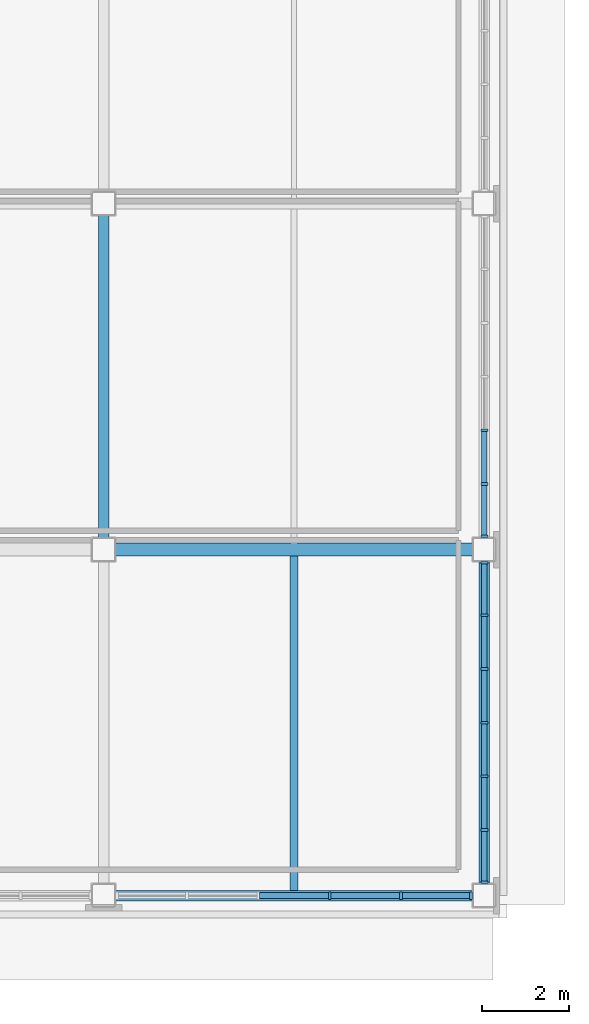
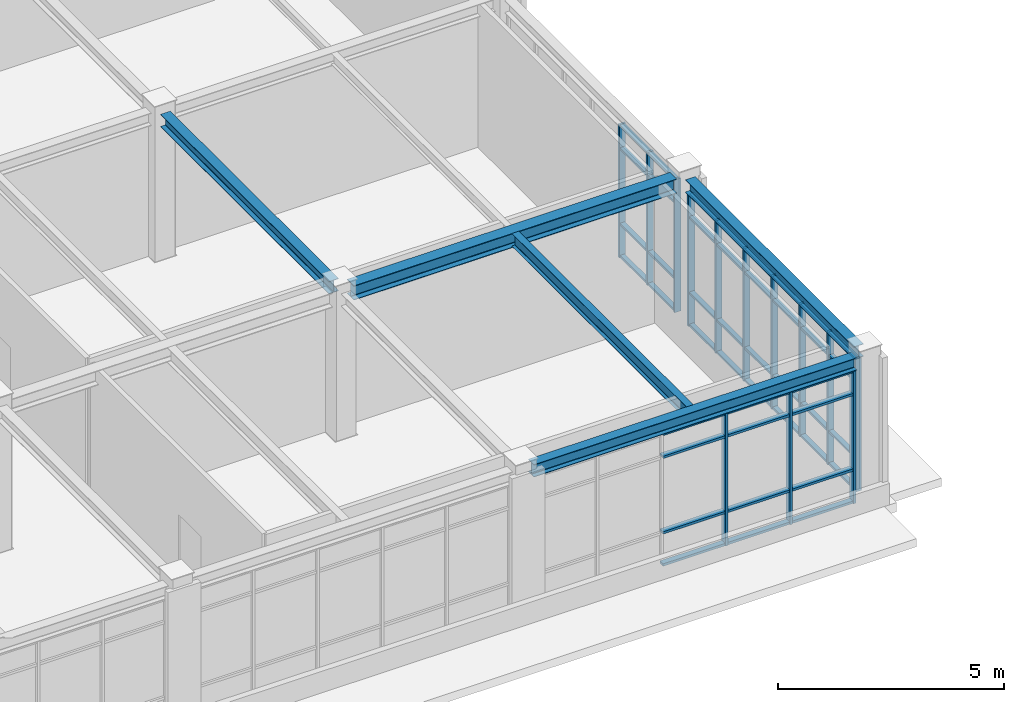
# One storey, part 11 of 64: 57 members, 5 beams, 3 elements without a shape of their own.
"""IFC4 building model written with IfcOpenShell, lengths in metres."""

from ifc_helpers import new_model, si_unit, direction, frame, origin, origin_2d, place, context, subcontext, project, spatial, rectangle, i_section, extrude, material, material_profile, profile_set, type_object, element, aggregate, save


model = new_model("IFC4")

# Units and contexts
model_context = context("Model", 3, precision=1e-05, world=origin(), true_north=direction((0.0, 1.0)))
body_context = subcontext(model_context, "Body", "Model", "MODEL_VIEW")
ifc_project = project(units=[si_unit("LENGTHUNIT", "METRE"), si_unit("AREAUNIT", "SQUARE_METRE"), si_unit("VOLUMEUNIT", "CUBIC_METRE"), si_unit("PLANEANGLEUNIT", "RADIAN"), si_unit("MASSUNIT", "GRAM", prefix="KILO")], contexts=[model_context])

# Site, building, storey
site_placement = place(None, origin())
site = spatial("IfcSite", under=ifc_project, at=site_placement, CompositionType="ELEMENT")
building_placement = place(site_placement, origin())
building = spatial("IfcBuilding", under=site, at=building_placement, Name="Zhaolan Boulevard Law Courts", CompositionType="ELEMENT")
storey_placement = place(building_placement, frame((0.0, 0.0, 20.39990234375)))
storey = spatial("IfcBuildingStorey", under=building, at=storey_placement, Name="L04", CompositionType="ELEMENT", Elevation=20.39990234375)

# Curtain wall, members
ifc_material_1 = material(Name="Thermally broken aluminium and low-E glazing", Category="aluminium")
curtain_wall_type_1 = type_object("IfcCurtainWallType", Name="CURTAIN WALL M4", PredefinedType="USERDEFINED", material=ifc_material_1)
curtain_wall_1_placement = place(storey_placement, origin())
curtain_wall_1 = element("IfcCurtainWall", 1, at=curtain_wall_1_placement, inside=storey, type_object=curtain_wall_type_1, Name="Curtain Wall CW-L04-196", ObjectType="CURTAIN WALL", PredefinedType="USERDEFINED")
ifc_material_2 = material(Name="Fluorocarbon-coated aluminium 6063-T6", Category="aluminium")
ifc_material_profile_1 = material_profile(ifc_material_2, rectangle(XDim=0.159912109375, YDim=0.06005859375, at=origin_2d()), Name="AL60x160")
ifc_profile_set_1 = profile_set([ifc_material_profile_1], Name="Fluorocarbon-coated aluminium 6063-T6")
member_type_1 = type_object("IfcMemberType", Name="CWMULLION 60X160", PredefinedType="MULLION", material=ifc_profile_set_1)
member_1_placement = place(storey_placement, frame((44.0, 30.306884765625, 0.0), z_axis=(0.0, 0.0, 1.0), x_axis=(-1.0, 0.0, 0.0)))
member_1 = element("IfcMember", 2, at=member_1_placement, type_object=member_type_1, Name="CW-L04-196 mullion 1", PredefinedType="MULLION", context=body_context, shape_type="SweptSolid", body=[
    extrude(rectangle(XDim=0.159912109375, YDim=0.06005859375, at=origin_2d()), origin(), (0.0, 0.0, 1.0), 3.593017578125),
])
member_2_placement = place(storey_placement, frame((44.0, 31.51806640625, 0.0), z_axis=(0.0, 0.0, 1.0), x_axis=(-1.0, 0.0, 0.0)))
member_2 = element("IfcMember", 3, at=member_2_placement, type_object=member_type_1, Name="CW-L04-196 mullion 2", PredefinedType="MULLION", context=body_context, shape_type="SweptSolid", body=[
    extrude(rectangle(XDim=0.159912109375, YDim=0.06005859375, at=origin_2d()), origin(), (0.0, 0.0, 1.0), 3.593017578125),
])
member_3_placement = place(storey_placement, frame((44.0, 32.759033203125, 0.0), z_axis=(0.0, 0.0, 1.0), x_axis=(-1.0, 0.0, 0.0)))
member_3 = element("IfcMember", 4, at=member_3_placement, type_object=member_type_1, Name="CW-L04-196 mullion 3", PredefinedType="MULLION", context=body_context, shape_type="SweptSolid", body=[
    extrude(rectangle(XDim=0.159912109375, YDim=0.06005859375, at=origin_2d()), origin(), (0.0, 0.0, 1.0), 3.593017578125),
])
member_4_placement = place(storey_placement, frame((44.0, 34.0, 0.0), z_axis=(0.0, 0.0, 1.0), x_axis=(-1.0, 0.0, 0.0)))
member_4 = element("IfcMember", 5, at=member_4_placement, type_object=member_type_1, Name="CW-L04-196 mullion 4", PredefinedType="MULLION", context=body_context, shape_type="SweptSolid", body=[
    extrude(rectangle(XDim=0.159912109375, YDim=0.06005859375, at=origin_2d()), origin(), (0.0, 0.0, 1.0), 3.593017578125),
])
member_5_placement = place(storey_placement, frame((44.0, 35.240966796875, 0.0), z_axis=(0.0, 0.0, 1.0), x_axis=(-1.0, 0.0, 0.0)))
member_5 = element("IfcMember", 6, at=member_5_placement, type_object=member_type_1, Name="CW-L04-196 mullion 5", PredefinedType="MULLION", context=body_context, shape_type="SweptSolid", body=[
    extrude(rectangle(XDim=0.159912109375, YDim=0.06005859375, at=origin_2d()), origin(), (0.0, 0.0, 1.0), 3.593017578125),
])
member_6_placement = place(storey_placement, frame((44.0, 36.48193359375, 0.0), z_axis=(0.0, 0.0, 1.0), x_axis=(-1.0, 0.0, 0.0)))
member_6 = element("IfcMember", 7, at=member_6_placement, type_object=member_type_1, Name="CW-L04-196 mullion 6", PredefinedType="MULLION", context=body_context, shape_type="SweptSolid", body=[
    extrude(rectangle(XDim=0.159912109375, YDim=0.06005859375, at=origin_2d()), origin(), (0.0, 0.0, 1.0), 3.593017578125),
])
member_7_placement = place(storey_placement, frame((44.0, 37.693115234375, 0.0), z_axis=(0.0, 0.0, 1.0), x_axis=(-1.0, 0.0, 0.0)))
member_7 = element("IfcMember", 8, at=member_7_placement, type_object=member_type_1, Name="CW-L04-196 mullion 7", PredefinedType="MULLION", context=body_context, shape_type="SweptSolid", body=[
    extrude(rectangle(XDim=0.159912109375, YDim=0.06005859375, at=origin_2d()), origin(), (0.0, 0.0, 1.0), 3.593017578125),
])

ifc_material_3 = material(Name="Thermally broken aluminium and low-E glazing", Category="aluminium")
curtain_wall_type_2 = type_object("IfcCurtainWallType", Name="CURTAIN WALL M5", PredefinedType="USERDEFINED", material=ifc_material_3)
curtain_wall_2_placement = place(storey_placement, origin())
curtain_wall_2 = element("IfcCurtainWall", 9, at=curtain_wall_2_placement, inside=storey, type_object=curtain_wall_type_2, Name="Curtain Wall CW-L04-197", ObjectType="CURTAIN WALL", PredefinedType="USERDEFINED")
member_8_placement = place(storey_placement, frame((44.0, 38.306884765625, 0.0), z_axis=(0.0, 0.0, 1.0), x_axis=(-1.0, 0.0, 0.0)))
member_8 = element("IfcMember", 10, at=member_8_placement, type_object=member_type_1, Name="CW-L04-197 mullion 1", PredefinedType="MULLION", context=body_context, shape_type="SweptSolid", body=[
    extrude(rectangle(XDim=0.159912109375, YDim=0.06005859375, at=origin_2d()), origin(), (0.0, 0.0, 1.0), 3.593017578125),
])
member_9_placement = place(storey_placement, frame((44.0, 39.51806640625, 0.0), z_axis=(0.0, 0.0, 1.0), x_axis=(-1.0, 0.0, 0.0)))
member_9 = element("IfcMember", 11, at=member_9_placement, type_object=member_type_1, Name="CW-L04-197 mullion 2", PredefinedType="MULLION", context=body_context, shape_type="SweptSolid", body=[
    extrude(rectangle(XDim=0.159912109375, YDim=0.06005859375, at=origin_2d()), origin(), (0.0, 0.0, 1.0), 3.593017578125),
])
member_10_placement = place(storey_placement, frame((44.0, 40.759033203125, 0.0), z_axis=(0.0, 0.0, 1.0), x_axis=(-1.0, 0.0, 0.0)))
member_10 = element("IfcMember", 12, at=member_10_placement, type_object=member_type_1, Name="CW-L04-197 mullion 3", PredefinedType="MULLION", context=body_context, shape_type="SweptSolid", body=[
    extrude(rectangle(XDim=0.159912109375, YDim=0.06005859375, at=origin_2d()), origin(), (0.0, 0.0, 1.0), 3.593017578125),
])

ifc_material_4 = material(Name="Thermally broken aluminium and low-E glazing", Category="aluminium")
curtain_wall_type_3 = type_object("IfcCurtainWallType", Name="CURTAIN WALL M21", PredefinedType="USERDEFINED", material=ifc_material_4)
curtain_wall_3_placement = place(storey_placement, origin())
curtain_wall_3 = element("IfcCurtainWall", 13, at=curtain_wall_3_placement, inside=storey, type_object=curtain_wall_type_3, Name="Curtain Wall CW-L04-189", ObjectType="CURTAIN WALL", PredefinedType="USERDEFINED")
ifc_material_5 = material(Name="Fluorocarbon-coated aluminium 6063-T6", Category="aluminium")
ifc_material_profile_2 = material_profile(ifc_material_5, rectangle(XDim=0.179931640625, YDim=0.06494140625, at=origin_2d()), Name="AL65x180")
ifc_profile_set_2 = profile_set([ifc_material_profile_2], Name="Fluorocarbon-coated aluminium 6063-T6")
member_type_2 = type_object("IfcMemberType", Name="CWMULLION 65X180", PredefinedType="MULLION", material=ifc_profile_set_2)
member_11_placement = place(storey_placement, frame((40.424560546875, 30.0, 0.0), z_axis=(0.0, 0.0, 1.0), x_axis=(0.0, 1.0, 0.0)))
member_11 = element("IfcMember", 14, at=member_11_placement, type_object=member_type_2, Name="CW-L04-189 mullion 4", PredefinedType="MULLION", context=body_context, shape_type="SweptSolid", body=[
    extrude(rectangle(XDim=0.179931640625, YDim=0.06494140625, at=origin_2d()), origin(), (0.0, 0.0, 1.0), 3.593017578125),
])
member_12_placement = place(storey_placement, frame((42.07373046875, 30.0, 0.0), z_axis=(0.0, 0.0, 1.0), x_axis=(0.0, 1.0, 0.0)))
member_12 = element("IfcMember", 15, at=member_12_placement, type_object=member_type_2, Name="CW-L04-189 mullion 5", PredefinedType="MULLION", context=body_context, shape_type="SweptSolid", body=[
    extrude(rectangle(XDim=0.179931640625, YDim=0.06494140625, at=origin_2d()), origin(), (0.0, 0.0, 1.0), 3.593017578125),
])
member_13_placement = place(storey_placement, frame((43.6904296875, 30.0, 0.0), z_axis=(0.0, 0.0, 1.0), x_axis=(0.0, 1.0, 0.0)))
member_13 = element("IfcMember", 16, at=member_13_placement, type_object=member_type_2, Name="CW-L04-189 mullion 6", PredefinedType="MULLION", context=body_context, shape_type="SweptSolid", body=[
    extrude(rectangle(XDim=0.179931640625, YDim=0.06494140625, at=origin_2d()), origin(), (0.0, 0.0, 1.0), 3.593017578125),
])

# Member
ifc_material_6 = material(Name="Fluorocarbon-coated aluminium 6063-T6", Category="aluminium")
ifc_material_profile_3 = material_profile(ifc_material_6, rectangle(XDim=0.1201171875, YDim=0.06005859375, at=origin_2d()), Name="AL60x120")
ifc_profile_set_3 = profile_set([ifc_material_profile_3], Name="Fluorocarbon-coated aluminium 6063-T6")
member_type_3 = type_object("IfcMemberType", Name="CWTRANSOM 60X120", PredefinedType="USERDEFINED", material=ifc_profile_set_3)
member_14_placement = place(storey_placement, frame((44.0, 30.3369140625, 0.030029296875), z_axis=(0.0, 1.0, 0.0), x_axis=(-1.0, 0.0, 0.0)))
member_14 = element("IfcMember", 17, at=member_14_placement, type_object=member_type_3, Name="CW-L04-196 transom 1.1", ObjectType="TRANSOM", PredefinedType="USERDEFINED", context=body_context, shape_type="SweptSolid", body=[
    extrude(rectangle(XDim=0.1201171875, YDim=0.06005859375, at=origin_2d()), origin(), (0.0, 0.0, 1.0), 1.151123046875),
])

member_15_placement = place(storey_placement, frame((44.0, 30.3369140625, 0.900146484375), z_axis=(0.0, 1.0, 0.0), x_axis=(-1.0, 0.0, 0.0)))
member_15 = element("IfcMember", 18, at=member_15_placement, type_object=member_type_3, Name="CW-L04-196 transom 1.2", ObjectType="TRANSOM", PredefinedType="USERDEFINED", context=body_context, shape_type="SweptSolid", body=[
    extrude(rectangle(XDim=0.1201171875, YDim=0.06005859375, at=origin_2d()), origin(), (0.0, 0.0, 1.0), 1.151123046875),
])

member_16_placement = place(storey_placement, frame((44.0, 30.3369140625, 2.943115234375), z_axis=(0.0, 1.0, 0.0), x_axis=(-1.0, 0.0, 0.0)))
member_16 = element("IfcMember", 19, at=member_16_placement, type_object=member_type_3, Name="CW-L04-196 transom 1.3", ObjectType="TRANSOM", PredefinedType="USERDEFINED", context=body_context, shape_type="SweptSolid", body=[
    extrude(rectangle(XDim=0.1201171875, YDim=0.06005859375, at=origin_2d()), origin(), (0.0, 0.0, 1.0), 1.151123046875),
])

member_17_placement = place(storey_placement, frame((44.0, 30.3369140625, 3.56298828125), z_axis=(0.0, 1.0, 0.0), x_axis=(-1.0, 0.0, 0.0)))
member_17 = element("IfcMember", 20, at=member_17_placement, type_object=member_type_3, Name="CW-L04-196 transom 1.4", ObjectType="TRANSOM", PredefinedType="USERDEFINED", context=body_context, shape_type="SweptSolid", body=[
    extrude(rectangle(XDim=0.1201171875, YDim=0.06005859375, at=origin_2d()), origin(), (0.0, 0.0, 1.0), 1.151123046875),
])

member_18_placement = place(storey_placement, frame((44.0, 31.548095703125, 0.030029296875), z_axis=(0.0, 1.0, 0.0), x_axis=(-1.0, 0.0, 0.0)))
member_18 = element("IfcMember", 21, at=member_18_placement, type_object=member_type_3, Name="CW-L04-196 transom 2.1", ObjectType="TRANSOM", PredefinedType="USERDEFINED", context=body_context, shape_type="SweptSolid", body=[
    extrude(rectangle(XDim=0.1201171875, YDim=0.06005859375, at=origin_2d()), origin(), (0.0, 0.0, 1.0), 1.180908203125),
])

member_19_placement = place(storey_placement, frame((44.0, 31.548095703125, 0.900146484375), z_axis=(0.0, 1.0, 0.0), x_axis=(-1.0, 0.0, 0.0)))
member_19 = element("IfcMember", 22, at=member_19_placement, type_object=member_type_3, Name="CW-L04-196 transom 2.2", ObjectType="TRANSOM", PredefinedType="USERDEFINED", context=body_context, shape_type="SweptSolid", body=[
    extrude(rectangle(XDim=0.1201171875, YDim=0.06005859375, at=origin_2d()), origin(), (0.0, 0.0, 1.0), 1.180908203125),
])

member_20_placement = place(storey_placement, frame((44.0, 31.548095703125, 2.943115234375), z_axis=(0.0, 1.0, 0.0), x_axis=(-1.0, 0.0, 0.0)))
member_20 = element("IfcMember", 23, at=member_20_placement, type_object=member_type_3, Name="CW-L04-196 transom 2.3", ObjectType="TRANSOM", PredefinedType="USERDEFINED", context=body_context, shape_type="SweptSolid", body=[
    extrude(rectangle(XDim=0.1201171875, YDim=0.06005859375, at=origin_2d()), origin(), (0.0, 0.0, 1.0), 1.180908203125),
])

member_21_placement = place(storey_placement, frame((44.0, 31.548095703125, 3.56298828125), z_axis=(0.0, 1.0, 0.0), x_axis=(-1.0, 0.0, 0.0)))
member_21 = element("IfcMember", 24, at=member_21_placement, type_object=member_type_3, Name="CW-L04-196 transom 2.4", ObjectType="TRANSOM", PredefinedType="USERDEFINED", context=body_context, shape_type="SweptSolid", body=[
    extrude(rectangle(XDim=0.1201171875, YDim=0.06005859375, at=origin_2d()), origin(), (0.0, 0.0, 1.0), 1.180908203125),
])

member_22_placement = place(storey_placement, frame((44.0, 32.7890625, 0.030029296875), z_axis=(0.0, 1.0, 0.0), x_axis=(-1.0, 0.0, 0.0)))
member_22 = element("IfcMember", 25, at=member_22_placement, type_object=member_type_3, Name="CW-L04-196 transom 3.1", ObjectType="TRANSOM", PredefinedType="USERDEFINED", context=body_context, shape_type="SweptSolid", body=[
    extrude(rectangle(XDim=0.1201171875, YDim=0.06005859375, at=origin_2d()), origin(), (0.0, 0.0, 1.0), 1.180908203125),
])

member_23_placement = place(storey_placement, frame((44.0, 32.7890625, 0.900146484375), z_axis=(0.0, 1.0, 0.0), x_axis=(-1.0, 0.0, 0.0)))
member_23 = element("IfcMember", 26, at=member_23_placement, type_object=member_type_3, Name="CW-L04-196 transom 3.2", ObjectType="TRANSOM", PredefinedType="USERDEFINED", context=body_context, shape_type="SweptSolid", body=[
    extrude(rectangle(XDim=0.1201171875, YDim=0.06005859375, at=origin_2d()), origin(), (0.0, 0.0, 1.0), 1.180908203125),
])

member_24_placement = place(storey_placement, frame((44.0, 32.7890625, 2.943115234375), z_axis=(0.0, 1.0, 0.0), x_axis=(-1.0, 0.0, 0.0)))
member_24 = element("IfcMember", 27, at=member_24_placement, type_object=member_type_3, Name="CW-L04-196 transom 3.3", ObjectType="TRANSOM", PredefinedType="USERDEFINED", context=body_context, shape_type="SweptSolid", body=[
    extrude(rectangle(XDim=0.1201171875, YDim=0.06005859375, at=origin_2d()), origin(), (0.0, 0.0, 1.0), 1.180908203125),
])

member_25_placement = place(storey_placement, frame((44.0, 32.7890625, 3.56298828125), z_axis=(0.0, 1.0, 0.0), x_axis=(-1.0, 0.0, 0.0)))
member_25 = element("IfcMember", 28, at=member_25_placement, type_object=member_type_3, Name="CW-L04-196 transom 3.4", ObjectType="TRANSOM", PredefinedType="USERDEFINED", context=body_context, shape_type="SweptSolid", body=[
    extrude(rectangle(XDim=0.1201171875, YDim=0.06005859375, at=origin_2d()), origin(), (0.0, 0.0, 1.0), 1.180908203125),
])

member_26_placement = place(storey_placement, frame((44.0, 34.030029296875, 0.030029296875), z_axis=(0.0, 1.0, 0.0), x_axis=(-1.0, 0.0, 0.0)))
member_26 = element("IfcMember", 29, at=member_26_placement, type_object=member_type_3, Name="CW-L04-196 transom 4.1", ObjectType="TRANSOM", PredefinedType="USERDEFINED", context=body_context, shape_type="SweptSolid", body=[
    extrude(rectangle(XDim=0.1201171875, YDim=0.06005859375, at=origin_2d()), origin(), (0.0, 0.0, 1.0), 1.180908203125),
])

member_27_placement = place(storey_placement, frame((44.0, 34.030029296875, 0.900146484375), z_axis=(0.0, 1.0, 0.0), x_axis=(-1.0, 0.0, 0.0)))
member_27 = element("IfcMember", 30, at=member_27_placement, type_object=member_type_3, Name="CW-L04-196 transom 4.2", ObjectType="TRANSOM", PredefinedType="USERDEFINED", context=body_context, shape_type="SweptSolid", body=[
    extrude(rectangle(XDim=0.1201171875, YDim=0.06005859375, at=origin_2d()), origin(), (0.0, 0.0, 1.0), 1.180908203125),
])

member_28_placement = place(storey_placement, frame((44.0, 34.030029296875, 2.943115234375), z_axis=(0.0, 1.0, 0.0), x_axis=(-1.0, 0.0, 0.0)))
member_28 = element("IfcMember", 31, at=member_28_placement, type_object=member_type_3, Name="CW-L04-196 transom 4.3", ObjectType="TRANSOM", PredefinedType="USERDEFINED", context=body_context, shape_type="SweptSolid", body=[
    extrude(rectangle(XDim=0.1201171875, YDim=0.06005859375, at=origin_2d()), origin(), (0.0, 0.0, 1.0), 1.180908203125),
])

member_29_placement = place(storey_placement, frame((44.0, 34.030029296875, 3.56298828125), z_axis=(0.0, 1.0, 0.0), x_axis=(-1.0, 0.0, 0.0)))
member_29 = element("IfcMember", 32, at=member_29_placement, type_object=member_type_3, Name="CW-L04-196 transom 4.4", ObjectType="TRANSOM", PredefinedType="USERDEFINED", context=body_context, shape_type="SweptSolid", body=[
    extrude(rectangle(XDim=0.1201171875, YDim=0.06005859375, at=origin_2d()), origin(), (0.0, 0.0, 1.0), 1.180908203125),
])

member_30_placement = place(storey_placement, frame((44.0, 35.27099609375, 0.030029296875), z_axis=(0.0, 1.0, 0.0), x_axis=(-1.0, 0.0, 0.0)))
member_30 = element("IfcMember", 33, at=member_30_placement, type_object=member_type_3, Name="CW-L04-196 transom 5.1", ObjectType="TRANSOM", PredefinedType="USERDEFINED", context=body_context, shape_type="SweptSolid", body=[
    extrude(rectangle(XDim=0.1201171875, YDim=0.06005859375, at=origin_2d()), origin(), (0.0, 0.0, 1.0), 1.180908203125),
])

member_31_placement = place(storey_placement, frame((44.0, 35.27099609375, 0.900146484375), z_axis=(0.0, 1.0, 0.0), x_axis=(-1.0, 0.0, 0.0)))
member_31 = element("IfcMember", 34, at=member_31_placement, type_object=member_type_3, Name="CW-L04-196 transom 5.2", ObjectType="TRANSOM", PredefinedType="USERDEFINED", context=body_context, shape_type="SweptSolid", body=[
    extrude(rectangle(XDim=0.1201171875, YDim=0.06005859375, at=origin_2d()), origin(), (0.0, 0.0, 1.0), 1.180908203125),
])

member_32_placement = place(storey_placement, frame((44.0, 35.27099609375, 2.943115234375), z_axis=(0.0, 1.0, 0.0), x_axis=(-1.0, 0.0, 0.0)))
member_32 = element("IfcMember", 35, at=member_32_placement, type_object=member_type_3, Name="CW-L04-196 transom 5.3", ObjectType="TRANSOM", PredefinedType="USERDEFINED", context=body_context, shape_type="SweptSolid", body=[
    extrude(rectangle(XDim=0.1201171875, YDim=0.06005859375, at=origin_2d()), origin(), (0.0, 0.0, 1.0), 1.180908203125),
])

member_33_placement = place(storey_placement, frame((44.0, 35.27099609375, 3.56298828125), z_axis=(0.0, 1.0, 0.0), x_axis=(-1.0, 0.0, 0.0)))
member_33 = element("IfcMember", 36, at=member_33_placement, type_object=member_type_3, Name="CW-L04-196 transom 5.4", ObjectType="TRANSOM", PredefinedType="USERDEFINED", context=body_context, shape_type="SweptSolid", body=[
    extrude(rectangle(XDim=0.1201171875, YDim=0.06005859375, at=origin_2d()), origin(), (0.0, 0.0, 1.0), 1.180908203125),
])

member_34_placement = place(storey_placement, frame((44.0, 36.511962890625, 0.030029296875), z_axis=(0.0, 1.0, 0.0), x_axis=(-1.0, 0.0, 0.0)))
member_34 = element("IfcMember", 37, at=member_34_placement, type_object=member_type_3, Name="CW-L04-196 transom 6.1", ObjectType="TRANSOM", PredefinedType="USERDEFINED", context=body_context, shape_type="SweptSolid", body=[
    extrude(rectangle(XDim=0.1201171875, YDim=0.06005859375, at=origin_2d()), origin(), (0.0, 0.0, 1.0), 1.151123046875),
])

member_35_placement = place(storey_placement, frame((44.0, 36.511962890625, 0.900146484375), z_axis=(0.0, 1.0, 0.0), x_axis=(-1.0, 0.0, 0.0)))
member_35 = element("IfcMember", 38, at=member_35_placement, type_object=member_type_3, Name="CW-L04-196 transom 6.2", ObjectType="TRANSOM", PredefinedType="USERDEFINED", context=body_context, shape_type="SweptSolid", body=[
    extrude(rectangle(XDim=0.1201171875, YDim=0.06005859375, at=origin_2d()), origin(), (0.0, 0.0, 1.0), 1.151123046875),
])

member_36_placement = place(storey_placement, frame((44.0, 36.511962890625, 2.943115234375), z_axis=(0.0, 1.0, 0.0), x_axis=(-1.0, 0.0, 0.0)))
member_36 = element("IfcMember", 39, at=member_36_placement, type_object=member_type_3, Name="CW-L04-196 transom 6.3", ObjectType="TRANSOM", PredefinedType="USERDEFINED", context=body_context, shape_type="SweptSolid", body=[
    extrude(rectangle(XDim=0.1201171875, YDim=0.06005859375, at=origin_2d()), origin(), (0.0, 0.0, 1.0), 1.151123046875),
])

member_37_placement = place(storey_placement, frame((44.0, 36.511962890625, 3.56298828125), z_axis=(0.0, 1.0, 0.0), x_axis=(-1.0, 0.0, 0.0)))
member_37 = element("IfcMember", 40, at=member_37_placement, type_object=member_type_3, Name="CW-L04-196 transom 6.4", ObjectType="TRANSOM", PredefinedType="USERDEFINED", context=body_context, shape_type="SweptSolid", body=[
    extrude(rectangle(XDim=0.1201171875, YDim=0.06005859375, at=origin_2d()), origin(), (0.0, 0.0, 1.0), 1.151123046875),
])

aggregate(curtain_wall_1, [member_1, member_2, member_3, member_4, member_5, member_6, member_7, member_14, member_15, member_16, member_17, member_18, member_19, member_20, member_21, member_22, member_23, member_24, member_25, member_26, member_27, member_28, member_29, member_30, member_31, member_32, member_33, member_34, member_35, member_36, member_37])

member_38_placement = place(storey_placement, frame((44.0, 38.3369140625, 0.030029296875), z_axis=(0.0, 1.0, 0.0), x_axis=(-1.0, 0.0, 0.0)))
member_38 = element("IfcMember", 41, at=member_38_placement, type_object=member_type_3, Name="CW-L04-197 transom 1.1", ObjectType="TRANSOM", PredefinedType="USERDEFINED", context=body_context, shape_type="SweptSolid", body=[
    extrude(rectangle(XDim=0.1201171875, YDim=0.06005859375, at=origin_2d()), origin(), (0.0, 0.0, 1.0), 1.151123046875),
])

member_39_placement = place(storey_placement, frame((44.0, 38.3369140625, 0.900146484375), z_axis=(0.0, 1.0, 0.0), x_axis=(-1.0, 0.0, 0.0)))
member_39 = element("IfcMember", 42, at=member_39_placement, type_object=member_type_3, Name="CW-L04-197 transom 1.2", ObjectType="TRANSOM", PredefinedType="USERDEFINED", context=body_context, shape_type="SweptSolid", body=[
    extrude(rectangle(XDim=0.1201171875, YDim=0.06005859375, at=origin_2d()), origin(), (0.0, 0.0, 1.0), 1.151123046875),
])

member_40_placement = place(storey_placement, frame((44.0, 38.3369140625, 2.943115234375), z_axis=(0.0, 1.0, 0.0), x_axis=(-1.0, 0.0, 0.0)))
member_40 = element("IfcMember", 43, at=member_40_placement, type_object=member_type_3, Name="CW-L04-197 transom 1.3", ObjectType="TRANSOM", PredefinedType="USERDEFINED", context=body_context, shape_type="SweptSolid", body=[
    extrude(rectangle(XDim=0.1201171875, YDim=0.06005859375, at=origin_2d()), origin(), (0.0, 0.0, 1.0), 1.151123046875),
])

member_41_placement = place(storey_placement, frame((44.0, 38.3369140625, 3.56298828125), z_axis=(0.0, 1.0, 0.0), x_axis=(-1.0, 0.0, 0.0)))
member_41 = element("IfcMember", 44, at=member_41_placement, type_object=member_type_3, Name="CW-L04-197 transom 1.4", ObjectType="TRANSOM", PredefinedType="USERDEFINED", context=body_context, shape_type="SweptSolid", body=[
    extrude(rectangle(XDim=0.1201171875, YDim=0.06005859375, at=origin_2d()), origin(), (0.0, 0.0, 1.0), 1.151123046875),
])

member_42_placement = place(storey_placement, frame((44.0, 39.548095703125, 0.030029296875), z_axis=(0.0, 1.0, 0.0), x_axis=(-1.0, 0.0, 0.0)))
member_42 = element("IfcMember", 45, at=member_42_placement, type_object=member_type_3, Name="CW-L04-197 transom 2.1", ObjectType="TRANSOM", PredefinedType="USERDEFINED", context=body_context, shape_type="SweptSolid", body=[
    extrude(rectangle(XDim=0.1201171875, YDim=0.06005859375, at=origin_2d()), origin(), (0.0, 0.0, 1.0), 1.180908203125),
])

member_43_placement = place(storey_placement, frame((44.0, 39.548095703125, 0.900146484375), z_axis=(0.0, 1.0, 0.0), x_axis=(-1.0, 0.0, 0.0)))
member_43 = element("IfcMember", 46, at=member_43_placement, type_object=member_type_3, Name="CW-L04-197 transom 2.2", ObjectType="TRANSOM", PredefinedType="USERDEFINED", context=body_context, shape_type="SweptSolid", body=[
    extrude(rectangle(XDim=0.1201171875, YDim=0.06005859375, at=origin_2d()), origin(), (0.0, 0.0, 1.0), 1.180908203125),
])

member_44_placement = place(storey_placement, frame((44.0, 39.548095703125, 2.943115234375), z_axis=(0.0, 1.0, 0.0), x_axis=(-1.0, 0.0, 0.0)))
member_44 = element("IfcMember", 47, at=member_44_placement, type_object=member_type_3, Name="CW-L04-197 transom 2.3", ObjectType="TRANSOM", PredefinedType="USERDEFINED", context=body_context, shape_type="SweptSolid", body=[
    extrude(rectangle(XDim=0.1201171875, YDim=0.06005859375, at=origin_2d()), origin(), (0.0, 0.0, 1.0), 1.180908203125),
])

member_45_placement = place(storey_placement, frame((44.0, 39.548095703125, 3.56298828125), z_axis=(0.0, 1.0, 0.0), x_axis=(-1.0, 0.0, 0.0)))
member_45 = element("IfcMember", 48, at=member_45_placement, type_object=member_type_3, Name="CW-L04-197 transom 2.4", ObjectType="TRANSOM", PredefinedType="USERDEFINED", context=body_context, shape_type="SweptSolid", body=[
    extrude(rectangle(XDim=0.1201171875, YDim=0.06005859375, at=origin_2d()), origin(), (0.0, 0.0, 1.0), 1.180908203125),
])

aggregate(curtain_wall_2, [member_8, member_9, member_10, member_38, member_39, member_40, member_41, member_42, member_43, member_44, member_45])

ifc_material_7 = material(Name="Fluorocarbon-coated aluminium 6063-T6", Category="aluminium")
ifc_material_profile_4 = material_profile(ifc_material_7, rectangle(XDim=0.139892578125, YDim=0.06494140625, at=origin_2d()), Name="AL65x140")
ifc_profile_set_4 = profile_set([ifc_material_profile_4], Name="Fluorocarbon-coated aluminium 6063-T6")
member_type_4 = type_object("IfcMemberType", Name="CWTRANSOM 65X140", PredefinedType="USERDEFINED", material=ifc_profile_set_4)
member_46_placement = place(storey_placement, frame((38.807861328125, 30.0, 0.03271484375), z_axis=(1.0, 0.0, 0.0), x_axis=(0.0, 1.0, 0.0)))
member_46 = element("IfcMember", 49, at=member_46_placement, type_object=member_type_4, Name="CW-L04-189 transom 3.1", ObjectType="TRANSOM", PredefinedType="USERDEFINED", context=body_context, shape_type="SweptSolid", body=[
    extrude(rectangle(XDim=0.139892578125, YDim=0.06494140625, at=origin_2d()), origin(), (0.0, 0.0, 1.0), 1.584228515625),
])

member_47_placement = place(storey_placement, frame((38.807861328125, 30.0, 0.900146484375), z_axis=(1.0, 0.0, 0.0), x_axis=(0.0, 1.0, 0.0)))
member_47 = element("IfcMember", 50, at=member_47_placement, type_object=member_type_4, Name="CW-L04-189 transom 3.2", ObjectType="TRANSOM", PredefinedType="USERDEFINED", context=body_context, shape_type="SweptSolid", body=[
    extrude(rectangle(XDim=0.139892578125, YDim=0.06494140625, at=origin_2d()), origin(), (0.0, 0.0, 1.0), 1.584228515625),
])

member_48_placement = place(storey_placement, frame((38.807861328125, 30.0, 2.943115234375), z_axis=(1.0, 0.0, 0.0), x_axis=(0.0, 1.0, 0.0)))
member_48 = element("IfcMember", 51, at=member_48_placement, type_object=member_type_4, Name="CW-L04-189 transom 3.3", ObjectType="TRANSOM", PredefinedType="USERDEFINED", context=body_context, shape_type="SweptSolid", body=[
    extrude(rectangle(XDim=0.139892578125, YDim=0.06494140625, at=origin_2d()), origin(), (0.0, 0.0, 1.0), 1.584228515625),
])

member_49_placement = place(storey_placement, frame((38.807861328125, 30.0, 3.560546875), z_axis=(1.0, 0.0, 0.0), x_axis=(0.0, 1.0, 0.0)))
member_49 = element("IfcMember", 52, at=member_49_placement, type_object=member_type_4, Name="CW-L04-189 transom 3.4", ObjectType="TRANSOM", PredefinedType="USERDEFINED", context=body_context, shape_type="SweptSolid", body=[
    extrude(rectangle(XDim=0.139892578125, YDim=0.06494140625, at=origin_2d()), origin(), (0.0, 0.0, 1.0), 1.584228515625),
])

member_50_placement = place(storey_placement, frame((40.45703125, 30.0, 0.03271484375), z_axis=(1.0, 0.0, 0.0), x_axis=(0.0, 1.0, 0.0)))
member_50 = element("IfcMember", 53, at=member_50_placement, type_object=member_type_4, Name="CW-L04-189 transom 4.1", ObjectType="TRANSOM", PredefinedType="USERDEFINED", context=body_context, shape_type="SweptSolid", body=[
    extrude(rectangle(XDim=0.139892578125, YDim=0.06494140625, at=origin_2d()), origin(), (0.0, 0.0, 1.0), 1.584228515625),
])

member_51_placement = place(storey_placement, frame((40.45703125, 30.0, 0.900146484375), z_axis=(1.0, 0.0, 0.0), x_axis=(0.0, 1.0, 0.0)))
member_51 = element("IfcMember", 54, at=member_51_placement, type_object=member_type_4, Name="CW-L04-189 transom 4.2", ObjectType="TRANSOM", PredefinedType="USERDEFINED", context=body_context, shape_type="SweptSolid", body=[
    extrude(rectangle(XDim=0.139892578125, YDim=0.06494140625, at=origin_2d()), origin(), (0.0, 0.0, 1.0), 1.584228515625),
])

member_52_placement = place(storey_placement, frame((40.45703125, 30.0, 2.943115234375), z_axis=(1.0, 0.0, 0.0), x_axis=(0.0, 1.0, 0.0)))
member_52 = element("IfcMember", 55, at=member_52_placement, type_object=member_type_4, Name="CW-L04-189 transom 4.3", ObjectType="TRANSOM", PredefinedType="USERDEFINED", context=body_context, shape_type="SweptSolid", body=[
    extrude(rectangle(XDim=0.139892578125, YDim=0.06494140625, at=origin_2d()), origin(), (0.0, 0.0, 1.0), 1.584228515625),
])

member_53_placement = place(storey_placement, frame((40.45703125, 30.0, 3.560546875), z_axis=(1.0, 0.0, 0.0), x_axis=(0.0, 1.0, 0.0)))
member_53 = element("IfcMember", 56, at=member_53_placement, type_object=member_type_4, Name="CW-L04-189 transom 4.4", ObjectType="TRANSOM", PredefinedType="USERDEFINED", context=body_context, shape_type="SweptSolid", body=[
    extrude(rectangle(XDim=0.139892578125, YDim=0.06494140625, at=origin_2d()), origin(), (0.0, 0.0, 1.0), 1.584228515625),
])

member_54_placement = place(storey_placement, frame((42.106201171875, 30.0, 0.03271484375), z_axis=(1.0, 0.0, 0.0), x_axis=(0.0, 1.0, 0.0)))
member_54 = element("IfcMember", 57, at=member_54_placement, type_object=member_type_4, Name="CW-L04-189 transom 5.1", ObjectType="TRANSOM", PredefinedType="USERDEFINED", context=body_context, shape_type="SweptSolid", body=[
    extrude(rectangle(XDim=0.139892578125, YDim=0.06494140625, at=origin_2d()), origin(), (0.0, 0.0, 1.0), 1.5517578125),
])

member_55_placement = place(storey_placement, frame((42.106201171875, 30.0, 0.900146484375), z_axis=(1.0, 0.0, 0.0), x_axis=(0.0, 1.0, 0.0)))
member_55 = element("IfcMember", 58, at=member_55_placement, type_object=member_type_4, Name="CW-L04-189 transom 5.2", ObjectType="TRANSOM", PredefinedType="USERDEFINED", context=body_context, shape_type="SweptSolid", body=[
    extrude(rectangle(XDim=0.139892578125, YDim=0.06494140625, at=origin_2d()), origin(), (0.0, 0.0, 1.0), 1.5517578125),
])

member_56_placement = place(storey_placement, frame((42.106201171875, 30.0, 2.943115234375), z_axis=(1.0, 0.0, 0.0), x_axis=(0.0, 1.0, 0.0)))
member_56 = element("IfcMember", 59, at=member_56_placement, type_object=member_type_4, Name="CW-L04-189 transom 5.3", ObjectType="TRANSOM", PredefinedType="USERDEFINED", context=body_context, shape_type="SweptSolid", body=[
    extrude(rectangle(XDim=0.139892578125, YDim=0.06494140625, at=origin_2d()), origin(), (0.0, 0.0, 1.0), 1.5517578125),
])

member_57_placement = place(storey_placement, frame((42.106201171875, 30.0, 3.560546875), z_axis=(1.0, 0.0, 0.0), x_axis=(0.0, 1.0, 0.0)))
member_57 = element("IfcMember", 60, at=member_57_placement, type_object=member_type_4, Name="CW-L04-189 transom 5.4", ObjectType="TRANSOM", PredefinedType="USERDEFINED", context=body_context, shape_type="SweptSolid", body=[
    extrude(rectangle(XDim=0.139892578125, YDim=0.06494140625, at=origin_2d()), origin(), (0.0, 0.0, 1.0), 1.5517578125),
])

aggregate(curtain_wall_3, [member_11, member_12, member_13, member_46, member_47, member_48, member_49, member_50, member_51, member_52, member_53, member_54, member_55, member_56, member_57])

# Beams
ifc_material_8 = material(Name="Structural steel Q355B", Category="steel")
ifc_material_profile_5 = material_profile(ifc_material_8, i_section(OverallWidth=0.25, OverallDepth=0.340087890625, WebThickness=0.009033203125, FlangeThickness=0.013916015625, FilletRadius=0.01611328125, at=origin_2d()), Name="HM340x250")
ifc_profile_set_5 = profile_set([ifc_material_profile_5], Name="Structural steel Q355B")
beam_type_1 = type_object("IfcBeamType", Name="GIRDER HM340", PredefinedType="BEAM", material=ifc_profile_set_5)
for number, where, z_axis, x_axis, name in (
    (61, (35.199951171875, 38.27099609375, 3.778076171875), (0.0, 1.0, 0.0), (-1.0, 0.0, 0.0), "Beam BY-L05-5-F-G"),
    (62, (44.0, 30.27099609375, 3.778076171875), (0.0, 1.0, 0.0), (-1.0, 0.0, 0.0), "Beam BY-L05-6-E-F"),
):
    element("IfcBeam", number, at=place(storey_placement, frame(where, z_axis=z_axis, x_axis=x_axis)), inside=storey, type_object=beam_type_1, Name=name, PredefinedType="BEAM", context=body_context, shape_type="SweptSolid", body=[
        extrude(i_section(OverallWidth=0.25, OverallDepth=0.340087890625, WebThickness=0.009033203125, FlangeThickness=0.013916015625, FilletRadius=0.01611328125, at=origin_2d()), origin(), (0.0, 0.0, 1.0), 7.4580078125),
    ])
ifc_material_9 = material(Name="Structural steel Q355B", Category="steel")
ifc_material_profile_6 = material_profile(ifc_material_9, i_section(OverallWidth=0.300048828125, OverallDepth=0.389892578125, WebThickness=0.010009765625, FlangeThickness=0.01611328125, FilletRadius=0.01806640625, at=origin_2d()), Name="HM390x300")
ifc_profile_set_6 = profile_set([ifc_material_profile_6], Name="Structural steel Q355B")
beam_type_2 = type_object("IfcBeamType", Name="GIRDER HM390", PredefinedType="BEAM", material=ifc_profile_set_6)
beam_1_placement = place(storey_placement, frame((35.470947265625, 38.0, 3.753173828125), z_axis=(1.0, 0.0, 0.0), x_axis=(0.0, 1.0, 0.0)))
element("IfcBeam", 63, at=beam_1_placement, inside=storey, type_object=beam_type_2, Name="Beam BX-L05-5-6-F", PredefinedType="BEAM", context=body_context, shape_type="SweptSolid", body=[
    extrude(i_section(OverallWidth=0.300048828125, OverallDepth=0.389892578125, WebThickness=0.010009765625, FlangeThickness=0.01611328125, FilletRadius=0.01806640625, at=origin_2d()), origin(), (0.0, 0.0, 1.0), 8.258056640625),
])
ifc_material_10 = material(Name="Structural steel Q355B", Category="steel")
ifc_material_profile_7 = material_profile(ifc_material_10, i_section(OverallWidth=0.175048828125, OverallDepth=0.35009765625, WebThickness=0.007080078125, FlangeThickness=0.010986328125, FilletRadius=0.012939453125, at=origin_2d()), Name="HN350x175")
ifc_profile_set_7 = profile_set([ifc_material_profile_7], Name="Structural steel Q355B")
beam_type_3 = type_object("IfcBeamType", Name="JOIST HN350", PredefinedType="JOIST", material=ifc_profile_set_7)
beam_2_placement = place(storey_placement, frame((39.60009765625, 30.12109375, 3.773193359375), z_axis=(0.0, 1.0, 0.0), x_axis=(-1.0, 0.0, 0.0)))
element("IfcBeam", 64, at=beam_2_placement, inside=storey, type_object=beam_type_3, Name="Composite Joist J-L05-5E", PredefinedType="JOIST", context=body_context, shape_type="SweptSolid", body=[
    extrude(i_section(OverallWidth=0.175048828125, OverallDepth=0.35009765625, WebThickness=0.007080078125, FlangeThickness=0.010986328125, FilletRadius=0.012939453125, at=origin_2d()), origin(), (0.0, 0.0, 1.0), 7.73291015625),
])
ifc_material_11 = material(Name="Structural steel Q355B", Category="steel")
ifc_material_profile_8 = material_profile(ifc_material_11, i_section(OverallWidth=0.25, OverallDepth=0.340087890625, WebThickness=0.009033203125, FlangeThickness=0.013916015625, FilletRadius=0.01611328125, at=origin_2d()), Name="HM340x250")
ifc_profile_set_8 = profile_set([ifc_material_profile_8], Name="Structural steel Q355B")
beam_type_4 = type_object("IfcBeamType", Name="SPANDREL HM340", PredefinedType="SPANDREL", material=ifc_profile_set_8)
beam_3_placement = place(storey_placement, frame((35.470947265625, 30.0, 3.778076171875), z_axis=(1.0, 0.0, 0.0), x_axis=(0.0, 1.0, 0.0)))
element("IfcBeam", 65, at=beam_3_placement, inside=storey, type_object=beam_type_4, Name="Beam BX-L05-5-6-E", PredefinedType="SPANDREL", context=body_context, shape_type="SweptSolid", body=[
    extrude(i_section(OverallWidth=0.25, OverallDepth=0.340087890625, WebThickness=0.009033203125, FlangeThickness=0.013916015625, FilletRadius=0.01611328125, at=origin_2d()), origin(), (0.0, 0.0, 1.0), 8.258056640625),
])

save(model, "model.ifc")
